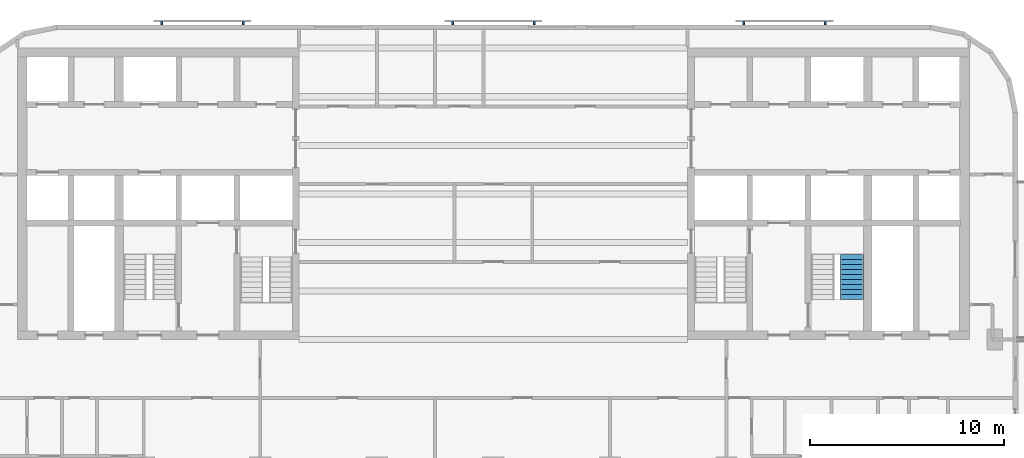
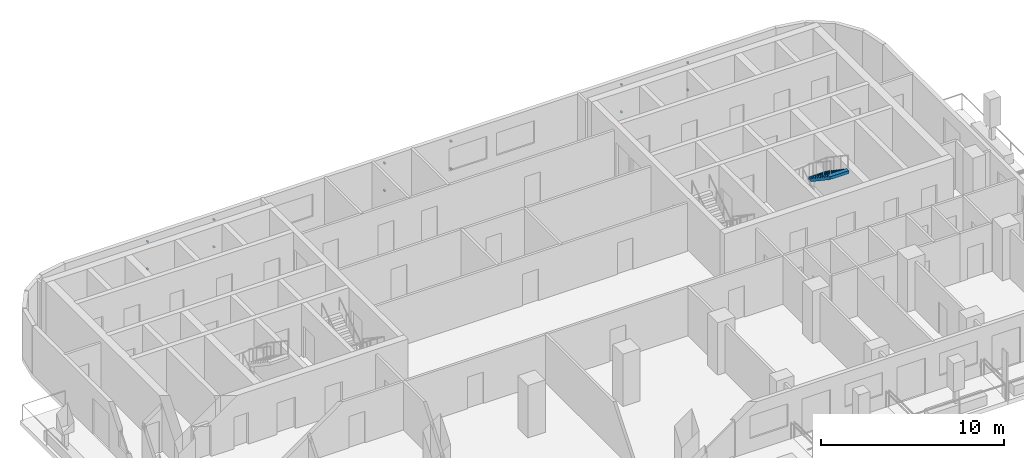
# One storey, part 8 of 11: 12 discrete accessories, 1 stair flight, 1 element without a shape of its own.
"""IFC4 building model written with IfcOpenShell, lengths in metres."""

import ifcopenshell
import ifcopenshell.guid

model = None  # the IFC model being written
_history = None  # IfcOwnerHistory: only IFC2X3 demands one
_inside = {}  # id of a spatial element -> (the spatial element, [elements in it])
_under = {}  # id of a project, library or spatial element -> (it, [spatial elements below it])
_declared = {}  # id of a project -> (the project, [libraries it declares])
_typed = {}  # id of a type object -> (the type object, [elements of that type])
_made_of = {}  # id of a material, layer set ... -> (it, [elements and type objects made of it])


def new_model(schema):
    """Start an empty IFC model of exactly this schema.

    Asked for "IFC4X3", IfcOpenShell would pick the latest addendum, in which some entities
    have other attributes; the version numbers below select the first issue.
    IFC2X3 requires an IfcOwnerHistory on every rooted entity: one is made here for all.
    """
    global model, _history
    if schema == "IFC4X3":
        model = ifcopenshell.file(schema_version=(4, 3, 0, 0))
    else:
        model = ifcopenshell.file(schema=schema)
    _inside.clear()
    _under.clear()
    _declared.clear()
    _typed.clear()
    _made_of.clear()
    _history = None
    if model.schema == "IFC2X3":
        org = make("IfcOrganization", Name="unknown")
        user = make(
            "IfcPersonAndOrganization",
            ThePerson=make("IfcPerson", FamilyName="unknown"),
            TheOrganization=org,
        )
        app = make(
            "IfcApplication",
            ApplicationDeveloper=org,
            Version="unknown",
            ApplicationFullName="unknown",
            ApplicationIdentifier="unknown",
        )
        _history = make(
            "IfcOwnerHistory",
            OwningUser=user,
            OwningApplication=app,
            ChangeAction="ADDED",
            CreationDate=0,
        )
    return model


def make(cls, **values):
    """One entity of the class cls with the attributes given. An attribute that is None is left unset."""
    return model.create_entity(
        cls, **{name: value for name, value in values.items() if value is not None}
    )


def rooted(cls, **values):
    """An entity with a GlobalId (a new one), such as an element, a storey or a relation."""
    return make(cls, GlobalId=ifcopenshell.guid.new(), OwnerHistory=_history, **values)


def si_unit(unit_type, name, prefix=None):
    """IfcSIUnit, for example si_unit("LENGTHUNIT", "METRE", prefix="MILLI")."""
    return make("IfcSIUnit", UnitType=unit_type, Prefix=prefix, Name=name)


def assignment(units):
    """IfcUnitAssignment: the units of a project."""
    return None if units is None else make("IfcUnitAssignment", Units=units)


def point(xyz):
    """IfcCartesianPoint."""
    return None if xyz is None else make("IfcCartesianPoint", Coordinates=xyz)


def direction(xyz):
    """IfcDirection."""
    return None if xyz is None else make("IfcDirection", DirectionRatios=xyz)


def frame(location, z_axis=None, x_axis=None):
    """IfcAxis2Placement3D, a coordinate frame: its origin and axes. An axis left out is left unset."""
    return make(
        "IfcAxis2Placement3D",
        Location=point(location),
        Axis=direction(z_axis),
        RefDirection=direction(x_axis),
    )


def frame_2d(location, x_axis=None):
    """IfcAxis2Placement2D, a coordinate frame in the plane: its origin and x axis."""
    return make(
        "IfcAxis2Placement2D", Location=point(location), RefDirection=direction(x_axis)
    )


def origin():
    """The frame at (0, 0, 0) with its axes left unset."""
    return frame((0.0, 0.0, 0.0))


def origin_2d():
    """The frame at (0, 0) in the plane with its x axis left unset."""
    return frame_2d((0.0, 0.0))


def place(relative_to, where):
    """IfcLocalPlacement: puts the frame where relative to a parent placement (None: the world)."""
    return make(
        "IfcLocalPlacement", PlacementRelTo=relative_to, RelativePlacement=where
    )


def context(
    kind, dimensions, precision=None, world=None, true_north=None, identifier=None
):
    """IfcGeometricRepresentationContext, for example the 3D "Model" context."""
    return make(
        "IfcGeometricRepresentationContext",
        ContextIdentifier=identifier,
        ContextType=kind,
        CoordinateSpaceDimension=dimensions,
        Precision=precision,
        WorldCoordinateSystem=world,
        TrueNorth=true_north,
    )


def subcontext(parent, identifier, kind, view, scale=None):
    """IfcGeometricRepresentationSubContext, for example "Body" below "Model"."""
    return make(
        "IfcGeometricRepresentationSubContext",
        ContextIdentifier=identifier,
        ContextType=kind,
        ParentContext=parent,
        TargetScale=scale,
        TargetView=view,
    )


def project(units=None, contexts=None):
    """IfcProject with its units and contexts."""
    return rooted(
        "IfcProject",
        Name="project",
        RepresentationContexts=contexts,
        UnitsInContext=assignment(units),
    )


def spatial(cls, under=None, at=None, **own):
    """A site, building, storey or space (cls), placed at a placement, below another one or the project."""
    s = rooted(cls, ObjectPlacement=at, **own)
    if under is not None:
        _under.setdefault(under.id(), (under, []))[1].append(s)
    return s


def polyline(points):
    """IfcPolyline through the points."""
    return make("IfcPolyline", Points=[point(p) for p in points])


def profile(cls, at=None, kind="AREA", **sizes):
    """A parametric profile (cls). Its sizes go by their IFC names, for example OverallWidth=200.0."""
    return make(cls, ProfileType=kind, Position=at, **sizes)


def rectangle(**sizes):
    """IfcRectangleProfileDef."""
    return profile("IfcRectangleProfileDef", **sizes)


def outline(outer, holes=None, kind="AREA"):
    """IfcArbitraryClosedProfileDef: a profile drawn as a closed curve; with holes, ...WithVoids."""
    if holes is None:
        return make("IfcArbitraryClosedProfileDef", ProfileType=kind, OuterCurve=outer)
    return make(
        "IfcArbitraryProfileDefWithVoids",
        ProfileType=kind,
        OuterCurve=outer,
        InnerCurves=holes,
    )


def extrude(swept, where, along, depth):
    """IfcExtrudedAreaSolid: the profile swept, set in the frame where, extruded along a direction by depth."""
    return make(
        "IfcExtrudedAreaSolid",
        SweptArea=swept,
        Position=where,
        ExtrudedDirection=direction(along),
        Depth=depth,
    )


def shape(context_of_items, identifier, shape_type, items):
    """IfcShapeRepresentation: the items that make up one representation, for example the "Body"."""
    return make(
        "IfcShapeRepresentation",
        ContextOfItems=context_of_items,
        RepresentationIdentifier=identifier,
        RepresentationType=shape_type,
        Items=items,
    )


def material(Name=None, Category=None):
    """IfcMaterial."""
    return make("IfcMaterial", Name=Name, Category=Category)


def made_of(thing, what):
    """Note that an element or type object is made of a material, layer set ...; save() writes the relation."""
    if what is not None:
        _made_of.setdefault(what.id(), (what, []))[1].append(thing)
    return thing


def type_object(cls, material=None, **own):
    """A type object (cls), such as IfcWallType, which elements share."""
    return made_of(rooted(cls, **own), material)


def element(
    cls,
    number,
    at=None,
    inside=None,
    cuts=None,
    type_object=None,
    material=None,
    context=None,
    identifier="Body",
    shape_type=None,
    held_by="IfcProductDefinitionShape",
    body=None,
    shapes=None,
    **own,
):
    """One element of the class cls, such as IfcWall. Its Tag is "e" and its number.

    at: its placement. inside: the storey or other place that contains it. cuts: it is an
    opening in that element (IfcRelVoidsElement). A single representation is given by context,
    identifier, shape_type and body (its items); several are given by shapes. held_by: the class
    of the entity that holds the representations. save() writes the other relations.
    """
    e = rooted(cls, Tag="e%d" % number, ObjectPlacement=at, **own)
    if body is not None:
        shapes = [shape(context, identifier, shape_type, body)]
    if shapes is not None:
        e.Representation = make(held_by, Representations=shapes)
    if inside is not None:
        _inside.setdefault(inside.id(), (inside, []))[1].append(e)
    if cuts is not None:
        rooted(
            "IfcRelVoidsElement", RelatingBuildingElement=cuts, RelatedOpeningElement=e
        )
    if type_object is not None:
        _typed.setdefault(type_object.id(), (type_object, []))[1].append(e)
    return made_of(e, material)


def aggregate(whole, parts):
    """IfcRelAggregates: a whole, such as a stair, and the parts it consists of."""
    return rooted("IfcRelAggregates", RelatingObject=whole, RelatedObjects=parts)


def save(model, path):
    """Write the relations noted so far, then the file.

    IfcRelAggregates (storeys below a building ...), IfcRelContainedInSpatialStructure (elements
    in a storey), IfcRelDefinesByType, IfcRelAssociatesMaterial and IfcRelDeclares: one each for
    every whole, place, type object, material and project.
    """
    for whole, parts in _under.values():
        aggregate(whole, parts)
    for where, things in _inside.values():
        rooted(
            "IfcRelContainedInSpatialStructure",
            RelatedElements=things,
            RelatingStructure=where,
        )
    for kind, things in _typed.values():
        rooted("IfcRelDefinesByType", RelatedObjects=things, RelatingType=kind)
    for what, things in _made_of.values():
        rooted("IfcRelAssociatesMaterial", RelatedObjects=things, RelatingMaterial=what)
    for by, libraries in _declared.values():
        rooted("IfcRelDeclares", RelatingContext=by, RelatedDefinitions=libraries)
    model.write(path)


model = new_model("IFC4")

# Units and contexts
model_context = context("Model", 3, precision=1e-05, world=origin(), true_north=direction((0.0, 1.0)))
body_context = subcontext(model_context, "Body", "Model", "MODEL_VIEW")
ifc_project = project(units=[si_unit("LENGTHUNIT", "METRE"), si_unit("AREAUNIT", "SQUARE_METRE"), si_unit("VOLUMEUNIT", "CUBIC_METRE"), si_unit("PLANEANGLEUNIT", "RADIAN"), si_unit("MASSUNIT", "GRAM", prefix="KILO")], contexts=[model_context])

# Site, building, storey
site_placement = place(None, origin())
site = spatial("IfcSite", under=ifc_project, at=site_placement, CompositionType="ELEMENT")
building_placement = place(site_placement, origin())
building = spatial("IfcBuilding", under=site, at=building_placement, Name="Torana Hotel and Residences", CompositionType="ELEMENT")
storey_placement = place(building_placement, frame((0.0, 0.0, 229.10009765625)))
storey = spatial("IfcBuildingStorey", under=building, at=storey_placement, Name="L60", CompositionType="ELEMENT", Elevation=229.10009765625)

# Stair, stair flight
ifc_material_1 = material(Name="Concrete C40/50 precast", Category="concrete")
stair_type = type_object("IfcStairType", Name="STAIR ST4 HALF TURN 1200", PredefinedType="HALF_TURN_STAIR", material=ifc_material_1)
stair_placement = place(storey_placement, origin())
stair = element("IfcStair", 1, at=stair_placement, inside=storey, type_object=stair_type, Name="Stair ST4 L60", PredefinedType="HALF_TURN_STAIR")
ifc_material_2 = material(Name="Concrete C40/50 precast", Category="concrete")
stair_flight_type = type_object("IfcStairFlightType", Name="STAIR FLIGHT 1200 PRECAST", PredefinedType="STRAIGHT", material=ifc_material_2)
stair_flight_placement = place(storey_placement, frame((18.449951171875, -10.610107421875, 1.75), z_axis=(0.0, 0.0, 1.0), x_axis=(0.0, -1.0, 0.0)))
stair_flight = element("IfcStairFlight", 2, at=stair_flight_placement, type_object=stair_flight_type, Name="ST4 flight 2", NumberOfRisers=10, NumberOfTreads=9, PredefinedType="STRAIGHT", RiserHeight=0.175, TreadLength=0.26, context=body_context, shape_type="SweptSolid", body=[
    extrude(outline(polyline([(0.0, 0.0), (0.0, 0.175048828125), (0.260009765625, 0.175048828125), (0.260009765625, 0.35009765625), (0.52001953125, 0.35009765625), (0.52001953125, 0.52490234375), (0.780029296875, 0.52490234375), (0.780029296875, 0.699951171875), (1.0400390625, 0.699951171875), (1.0400390625, 0.875), (1.300048828125, 0.875), (1.300048828125, 1.050048828125), (1.56005859375, 1.050048828125), (1.56005859375, 1.22509765625), (1.820068359375, 1.22509765625), (1.820068359375, 1.39990234375), (2.080078125, 1.39990234375), (2.080078125, 1.574951171875), (2.340087890625, 1.574951171875), (2.340087890625, 1.75), (2.340087890625, 1.394287109375), (0.2685546875, 0.0), (0.0, 0.0)])), frame((0.0, 0.60009765625, 0.0), z_axis=(0.0, -1.0, 0.0), x_axis=(1.0, 0.0, 0.0)), (0.0, 0.0, 1.0), 1.199951171875),
])
aggregate(stair, [stair_flight])

# Discrete accessories
ifc_material_3 = material(Name="Steel S355", Category="steel")
discrete_accessory_type = type_object("IfcDiscreteAccessoryType", Name="SCREEN BRACKET 100", PredefinedType="BRACKET", material=ifc_material_3)
for number, where, z_axis, x_axis, name in (
    (3, (17.08349609375, 1.27490234375, 0.749755859375), (0.0, 0.0, 1.0), (-1.0, 0.0, 0.0), "Screen bracket L60"),
    (4, (17.08349609375, 1.27490234375, 2.56982421875), (0.0, 0.0, 1.0), (-1.0, 0.0, 0.0), "Screen bracket L60"),
    (5, (12.883544921875, 1.27490234375, 0.749755859375), (0.0, 0.0, 1.0), (-1.0, 0.0, 0.0), "Screen bracket L60"),
    (6, (12.883544921875, 1.27490234375, 2.56982421875), (0.0, 0.0, 1.0), (-1.0, 0.0, 0.0), "Screen bracket L60"),
    (7, (2.10009765625, 1.27490234375, 0.749755859375), (0.0, 0.0, 1.0), (-1.0, 0.0, 0.0), "Screen bracket L60"),
    (8, (2.10009765625, 1.27490234375, 2.56982421875), (0.0, 0.0, 1.0), (-1.0, 0.0, 0.0), "Screen bracket L60"),
    (9, (-2.10009765625, 1.27490234375, 0.749755859375), (0.0, 0.0, 1.0), (-1.0, 0.0, 0.0), "Screen bracket L60"),
    (10, (-2.10009765625, 1.27490234375, 2.56982421875), (0.0, 0.0, 1.0), (-1.0, 0.0, 0.0), "Screen bracket L60"),
    (11, (-12.883544921875, 1.27490234375, 0.749755859375), (0.0, 0.0, 1.0), (-1.0, 0.0, 0.0), "Screen bracket L60"),
    (12, (-12.883544921875, 1.27490234375, 2.56982421875), (0.0, 0.0, 1.0), (-1.0, 0.0, 0.0), "Screen bracket L60"),
    (13, (-17.08349609375, 1.27490234375, 0.749755859375), (0.0, 0.0, 1.0), (-1.0, 0.0, 0.0), "Screen bracket L60"),
    (14, (-17.08349609375, 1.27490234375, 2.56982421875), (0.0, 0.0, 1.0), (-1.0, 0.0, 0.0), "Screen bracket L60"),
):
    element("IfcDiscreteAccessory", number, at=place(storey_placement, frame(where, z_axis=z_axis, x_axis=x_axis)), inside=storey, type_object=discrete_accessory_type, Name=name, PredefinedType="BRACKET", context=body_context, shape_type="SweptSolid", body=[
        extrude(rectangle(XDim=0.10009765625, YDim=0.14990234375, at=origin_2d()), origin(), (0.0, 0.0, 1.0), 0.10009765625),
    ])

save(model, "model.ifc")
